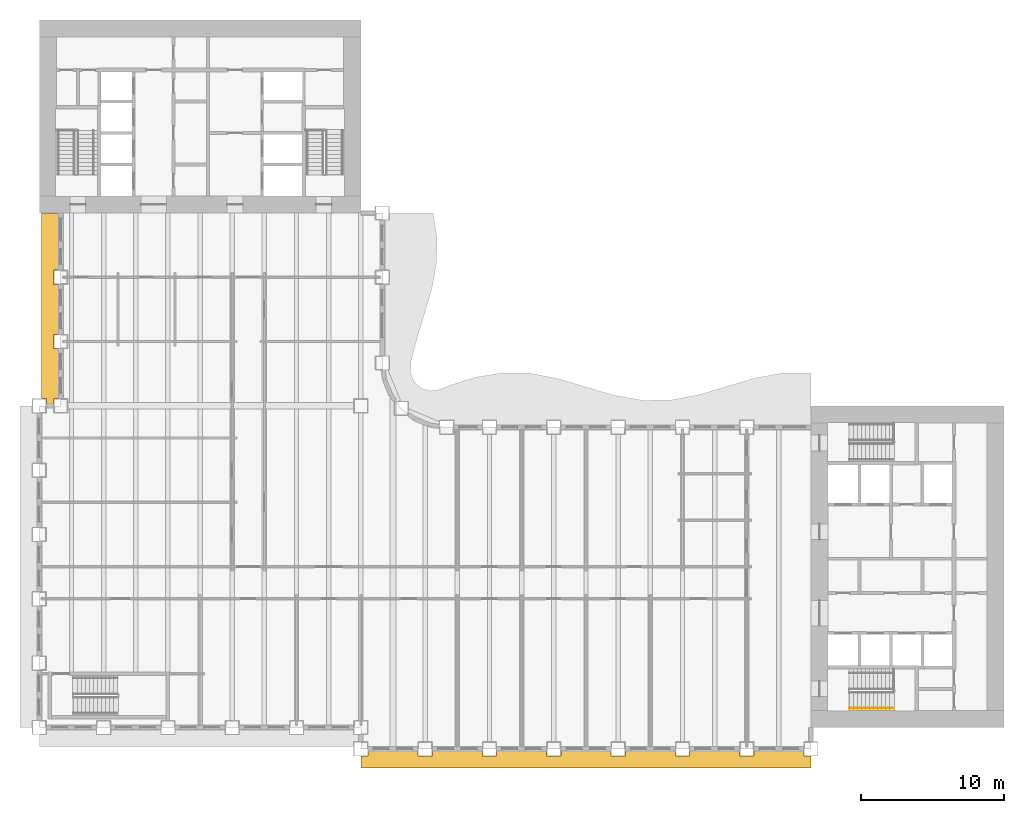
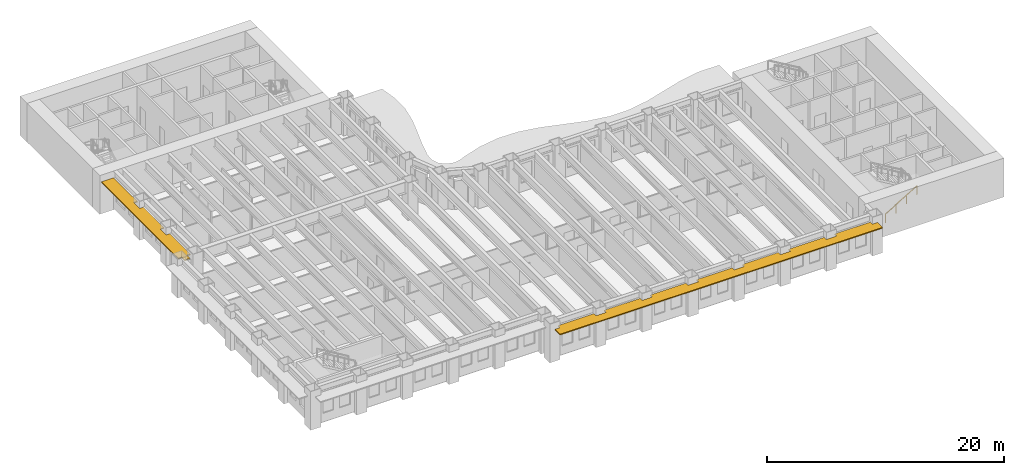
# One storey, part 12 of 16: 2 shading devices, 1 railing.
"""IFC4 building model written with IfcOpenShell, lengths in metres."""

import ifcopenshell
import ifcopenshell.guid

model = None  # the IFC model being written
_history = None  # IfcOwnerHistory: only IFC2X3 demands one
_inside = {}  # id of a spatial element -> (the spatial element, [elements in it])
_under = {}  # id of a project, library or spatial element -> (it, [spatial elements below it])
_declared = {}  # id of a project -> (the project, [libraries it declares])
_typed = {}  # id of a type object -> (the type object, [elements of that type])
_made_of = {}  # id of a material, layer set ... -> (it, [elements and type objects made of it])


def new_model(schema):
    """Start an empty IFC model of exactly this schema.

    Asked for "IFC4X3", IfcOpenShell would pick the latest addendum, in which some entities
    have other attributes; the version numbers below select the first issue.
    IFC2X3 requires an IfcOwnerHistory on every rooted entity: one is made here for all.
    """
    global model, _history
    if schema == "IFC4X3":
        model = ifcopenshell.file(schema_version=(4, 3, 0, 0))
    else:
        model = ifcopenshell.file(schema=schema)
    _inside.clear()
    _under.clear()
    _declared.clear()
    _typed.clear()
    _made_of.clear()
    _history = None
    if model.schema == "IFC2X3":
        org = make("IfcOrganization", Name="unknown")
        user = make(
            "IfcPersonAndOrganization",
            ThePerson=make("IfcPerson", FamilyName="unknown"),
            TheOrganization=org,
        )
        app = make(
            "IfcApplication",
            ApplicationDeveloper=org,
            Version="unknown",
            ApplicationFullName="unknown",
            ApplicationIdentifier="unknown",
        )
        _history = make(
            "IfcOwnerHistory",
            OwningUser=user,
            OwningApplication=app,
            ChangeAction="ADDED",
            CreationDate=0,
        )
    return model


def make(cls, **values):
    """One entity of the class cls with the attributes given. An attribute that is None is left unset."""
    return model.create_entity(
        cls, **{name: value for name, value in values.items() if value is not None}
    )


def rooted(cls, **values):
    """An entity with a GlobalId (a new one), such as an element, a storey or a relation."""
    return make(cls, GlobalId=ifcopenshell.guid.new(), OwnerHistory=_history, **values)


def si_unit(unit_type, name, prefix=None):
    """IfcSIUnit, for example si_unit("LENGTHUNIT", "METRE", prefix="MILLI")."""
    return make("IfcSIUnit", UnitType=unit_type, Prefix=prefix, Name=name)


def assignment(units):
    """IfcUnitAssignment: the units of a project."""
    return None if units is None else make("IfcUnitAssignment", Units=units)


def point(xyz):
    """IfcCartesianPoint."""
    return None if xyz is None else make("IfcCartesianPoint", Coordinates=xyz)


def direction(xyz):
    """IfcDirection."""
    return None if xyz is None else make("IfcDirection", DirectionRatios=xyz)


def frame(location, z_axis=None, x_axis=None):
    """IfcAxis2Placement3D, a coordinate frame: its origin and axes. An axis left out is left unset."""
    return make(
        "IfcAxis2Placement3D",
        Location=point(location),
        Axis=direction(z_axis),
        RefDirection=direction(x_axis),
    )


def frame_2d(location, x_axis=None):
    """IfcAxis2Placement2D, a coordinate frame in the plane: its origin and x axis."""
    return make(
        "IfcAxis2Placement2D", Location=point(location), RefDirection=direction(x_axis)
    )


def origin():
    """The frame at (0, 0, 0) with its axes left unset."""
    return frame((0.0, 0.0, 0.0))


def origin_2d():
    """The frame at (0, 0) in the plane with its x axis left unset."""
    return frame_2d((0.0, 0.0))


def place(relative_to, where):
    """IfcLocalPlacement: puts the frame where relative to a parent placement (None: the world)."""
    return make(
        "IfcLocalPlacement", PlacementRelTo=relative_to, RelativePlacement=where
    )


def context(
    kind, dimensions, precision=None, world=None, true_north=None, identifier=None
):
    """IfcGeometricRepresentationContext, for example the 3D "Model" context."""
    return make(
        "IfcGeometricRepresentationContext",
        ContextIdentifier=identifier,
        ContextType=kind,
        CoordinateSpaceDimension=dimensions,
        Precision=precision,
        WorldCoordinateSystem=world,
        TrueNorth=true_north,
    )


def subcontext(parent, identifier, kind, view, scale=None):
    """IfcGeometricRepresentationSubContext, for example "Body" below "Model"."""
    return make(
        "IfcGeometricRepresentationSubContext",
        ContextIdentifier=identifier,
        ContextType=kind,
        ParentContext=parent,
        TargetScale=scale,
        TargetView=view,
    )


def project(units=None, contexts=None):
    """IfcProject with its units and contexts."""
    return rooted(
        "IfcProject",
        Name="project",
        RepresentationContexts=contexts,
        UnitsInContext=assignment(units),
    )


def spatial(cls, under=None, at=None, **own):
    """A site, building, storey or space (cls), placed at a placement, below another one or the project."""
    s = rooted(cls, ObjectPlacement=at, **own)
    if under is not None:
        _under.setdefault(under.id(), (under, []))[1].append(s)
    return s


def polyline(points):
    """IfcPolyline through the points."""
    return make("IfcPolyline", Points=[point(p) for p in points])


def profile(cls, at=None, kind="AREA", **sizes):
    """A parametric profile (cls). Its sizes go by their IFC names, for example OverallWidth=200.0."""
    return make(cls, ProfileType=kind, Position=at, **sizes)


def rectangle(**sizes):
    """IfcRectangleProfileDef."""
    return profile("IfcRectangleProfileDef", **sizes)


def outline(outer, holes=None, kind="AREA"):
    """IfcArbitraryClosedProfileDef: a profile drawn as a closed curve; with holes, ...WithVoids."""
    if holes is None:
        return make("IfcArbitraryClosedProfileDef", ProfileType=kind, OuterCurve=outer)
    return make(
        "IfcArbitraryProfileDefWithVoids",
        ProfileType=kind,
        OuterCurve=outer,
        InnerCurves=holes,
    )


def extrude(swept, where, along, depth):
    """IfcExtrudedAreaSolid: the profile swept, set in the frame where, extruded along a direction by depth."""
    return make(
        "IfcExtrudedAreaSolid",
        SweptArea=swept,
        Position=where,
        ExtrudedDirection=direction(along),
        Depth=depth,
    )


def shape(context_of_items, identifier, shape_type, items):
    """IfcShapeRepresentation: the items that make up one representation, for example the "Body"."""
    return make(
        "IfcShapeRepresentation",
        ContextOfItems=context_of_items,
        RepresentationIdentifier=identifier,
        RepresentationType=shape_type,
        Items=items,
    )


def material(Name=None, Category=None):
    """IfcMaterial."""
    return make("IfcMaterial", Name=Name, Category=Category)


def layer(
    of_material, thickness, ventilated=None, Name=None, Category=None, Priority=None
):
    """IfcMaterialLayer: one layer of a wall or slab, of a material (None: an air gap)."""
    return make(
        "IfcMaterialLayer",
        Material=of_material,
        LayerThickness=thickness,
        IsVentilated=ventilated,
        Name=Name,
        Category=Category,
        Priority=Priority,
    )


def layer_set(layers, Name=None):
    """IfcMaterialLayerSet."""
    return make("IfcMaterialLayerSet", MaterialLayers=layers, LayerSetName=Name)


def made_of(thing, what):
    """Note that an element or type object is made of a material, layer set ...; save() writes the relation."""
    if what is not None:
        _made_of.setdefault(what.id(), (what, []))[1].append(thing)
    return thing


def type_object(cls, material=None, **own):
    """A type object (cls), such as IfcWallType, which elements share."""
    return made_of(rooted(cls, **own), material)


def element(
    cls,
    number,
    at=None,
    inside=None,
    cuts=None,
    type_object=None,
    material=None,
    context=None,
    identifier="Body",
    shape_type=None,
    held_by="IfcProductDefinitionShape",
    body=None,
    shapes=None,
    **own,
):
    """One element of the class cls, such as IfcWall. Its Tag is "e" and its number.

    at: its placement. inside: the storey or other place that contains it. cuts: it is an
    opening in that element (IfcRelVoidsElement). A single representation is given by context,
    identifier, shape_type and body (its items); several are given by shapes. held_by: the class
    of the entity that holds the representations. save() writes the other relations.
    """
    e = rooted(cls, Tag="e%d" % number, ObjectPlacement=at, **own)
    if body is not None:
        shapes = [shape(context, identifier, shape_type, body)]
    if shapes is not None:
        e.Representation = make(held_by, Representations=shapes)
    if inside is not None:
        _inside.setdefault(inside.id(), (inside, []))[1].append(e)
    if cuts is not None:
        rooted(
            "IfcRelVoidsElement", RelatingBuildingElement=cuts, RelatedOpeningElement=e
        )
    if type_object is not None:
        _typed.setdefault(type_object.id(), (type_object, []))[1].append(e)
    return made_of(e, material)


def aggregate(whole, parts):
    """IfcRelAggregates: a whole, such as a stair, and the parts it consists of."""
    return rooted("IfcRelAggregates", RelatingObject=whole, RelatedObjects=parts)


def save(model, path):
    """Write the relations noted so far, then the file.

    IfcRelAggregates (storeys below a building ...), IfcRelContainedInSpatialStructure (elements
    in a storey), IfcRelDefinesByType, IfcRelAssociatesMaterial and IfcRelDeclares: one each for
    every whole, place, type object, material and project.
    """
    for whole, parts in _under.values():
        aggregate(whole, parts)
    for where, things in _inside.values():
        rooted(
            "IfcRelContainedInSpatialStructure",
            RelatedElements=things,
            RelatingStructure=where,
        )
    for kind, things in _typed.values():
        rooted("IfcRelDefinesByType", RelatedObjects=things, RelatingType=kind)
    for what, things in _made_of.values():
        rooted("IfcRelAssociatesMaterial", RelatedObjects=things, RelatingMaterial=what)
    for by, libraries in _declared.values():
        rooted("IfcRelDeclares", RelatingContext=by, RelatedDefinitions=libraries)
    model.write(path)


model = new_model("IFC4")

# Units and contexts
model_context = context("Model", 3, precision=1e-05, world=origin(), true_north=direction((0.0, 1.0)))
body_context = subcontext(model_context, "Body", "Model", "MODEL_VIEW")
ifc_project = project(units=[si_unit("LENGTHUNIT", "METRE"), si_unit("AREAUNIT", "SQUARE_METRE"), si_unit("VOLUMEUNIT", "CUBIC_METRE"), si_unit("PLANEANGLEUNIT", "RADIAN"), si_unit("MASSUNIT", "GRAM", prefix="KILO")], contexts=[model_context])

# Site, building, storey
site_placement = place(None, origin())
site = spatial("IfcSite", under=ifc_project, at=site_placement, CompositionType="ELEMENT")
building_placement = place(site_placement, origin())
building = spatial("IfcBuilding", under=site, at=building_placement, Name="Sennacour Bend Tower", CompositionType="ELEMENT")
storey_placement = place(building_placement, frame((0.0, 0.0, 95.0)))
storey = spatial("IfcBuildingStorey", under=building, at=storey_placement, Name="L21", CompositionType="ELEMENT", Elevation=95.0)

# Railing
ifc_material_1 = material(Name="Stainless steel", Category="steel")
railing_type = type_object("IfcRailingType", Name="RL-HANDRAIL-900", PredefinedType="HANDRAIL", material=ifc_material_1)
railing_placement = place(storey_placement, frame((56.699951171875, 1.35009765625, 0.166748046875)))
element("IfcRailing", 1, at=railing_placement, inside=storey, type_object=railing_type, Name="L21 SA1 stair handrail 1", PredefinedType="HANDRAIL", context=body_context, shape_type="SweptSolid", body=[
    extrude(rectangle(XDim=0.048095703125, YDim=0.048095703125, at=origin_2d()), frame((0.0, 0.0, 0.8759765625), z_axis=(0.859308565015, 0.0, 0.511457515432), x_axis=(0.0, 1.0, 0.0)), (0.0, 0.0, 1.0), 3.58447265625),
    extrude(rectangle(XDim=0.0419921875, YDim=0.0419921875, at=origin_2d()), origin(), (0.0, 0.0, 1.0), 0.851806640625),
    extrude(rectangle(XDim=0.0419921875, YDim=0.0419921875, at=origin_2d()), frame((1.026611328125, 0.0, 0.611083984375)), (0.0, 0.0, 1.0), 0.851806640625),
    extrude(rectangle(XDim=0.0419921875, YDim=0.0419921875, at=origin_2d()), frame((2.053466796875, 0.0, 1.22216796875)), (0.0, 0.0, 1.0), 0.851806640625),
    extrude(rectangle(XDim=0.0419921875, YDim=0.0419921875, at=origin_2d()), frame((3.080078125, 0.0, 1.833251953125)), (0.0, 0.0, 1.0), 0.851806640625),
])

# Shading devices
ifc_material_2 = material(Name="Bronze anodised aluminium", Category="aluminium")
ifc_layer = layer(ifc_material_2, 0.10009765625, Name="Bronze anodised aluminium", Category="aluminium")
ifc_layer_set = layer_set([ifc_layer], Name="Bronze anodised aluminium")
shading_device_type = type_object("IfcShadingDeviceType", Name="SUNSHADE BAND STRAIGHT", PredefinedType="USERDEFINED", material=ifc_layer_set)
shading_device_1_placement = place(storey_placement, frame((0.0, 0.0, 3.053955078125)))
element("IfcShadingDevice", 2, at=shading_device_1_placement, inside=storey, type_object=shading_device_type, Name="Sunshade band L21 A outer face", ObjectType="SUNSHADE", PredefinedType="USERDEFINED", context=body_context, shape_type="SweptSolid", body=[
    extrude(outline(polyline([(26.5, -1.64990234375), (26.5, -2.0), (27.5, -2.0), (27.5, -1.64990234375), (31.0, -1.64990234375), (31.0, -2.0), (32.0, -2.0), (32.0, -1.64990234375), (35.5, -1.64990234375), (35.5, -2.0), (36.5, -2.0), (36.5, -1.64990234375), (40.0, -1.64990234375), (40.0, -2.0), (41.0, -2.0), (41.0, -1.64990234375), (44.5, -1.64990234375), (44.5, -2.0), (45.5, -2.0), (45.5, -1.64990234375), (49.0, -1.64990234375), (49.0, -2.0), (50.0, -2.0), (50.0, -1.64990234375), (53.5, -1.64990234375), (53.5, -2.0), (54.0, -2.0), (54.0, -2.85009765625), (22.5, -2.85009765625), (22.5, -2.0), (23.0, -2.0), (23.0, -1.64990234375), (26.5, -1.64990234375)])), origin(), (0.0, 0.0, 1.0), 0.10009765625),
])
shading_device_2_placement = place(storey_placement, frame((0.0, 0.0, 3.053955078125)))
element("IfcShadingDevice", 3, at=shading_device_2_placement, inside=storey, type_object=shading_device_type, Name="Sunshade band L21 B outer face", ObjectType="SUNSHADE", PredefinedType="USERDEFINED", context=body_context, shape_type="SweptSolid", body=[
    extrude(outline(polyline([(1.35009765625, 32.0), (1.0, 32.0), (1.0, 31.0), (1.35009765625, 31.0), (1.35009765625, 27.5), (1.0, 27.5), (1.0, 26.5), (1.35009765625, 26.5), (1.35009765625, 23.0), (1.0, 23.0), (1.0, 22.5), (0.5, 22.5), (0.5, 23.0), (0.14990234375, 23.0), (0.14990234375, 36.0), (1.35009765625, 36.0), (1.35009765625, 32.0)])), origin(), (0.0, 0.0, 1.0), 0.10009765625),
])

save(model, "model.ifc")
